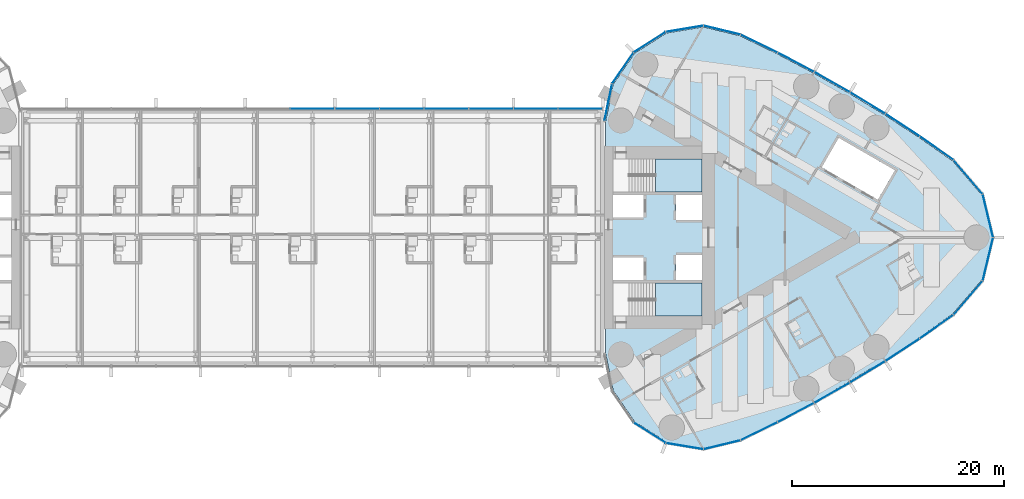
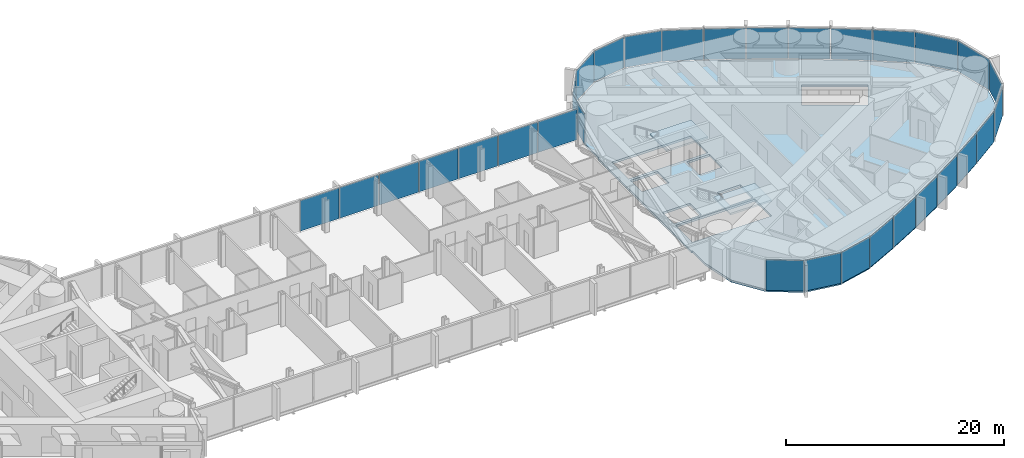
# One storey, part 13 of 22: 31 plates, 3 slabs, 4 elements without a shape of their own.
"""IFC4 building model written with IfcOpenShell, lengths in metres."""

from ifc_helpers import new_model, si_unit, direction, frame, origin, origin_2d, place, context, subcontext, project, spatial, polyline, rectangle, outline, extrude, material, layer, layer_set, type_object, element, aggregate, save


model = new_model("IFC4")

# Units and contexts
model_context = context("Model", 3, precision=1e-05, world=origin(), true_north=direction((0.0, 1.0)))
body_context = subcontext(model_context, "Body", "Model", "MODEL_VIEW")
ifc_project = project(units=[si_unit("LENGTHUNIT", "METRE"), si_unit("AREAUNIT", "SQUARE_METRE"), si_unit("VOLUMEUNIT", "CUBIC_METRE"), si_unit("PLANEANGLEUNIT", "RADIAN"), si_unit("MASSUNIT", "GRAM", prefix="KILO")], contexts=[model_context])

# Site, building, storey
site_placement = place(None, origin())
site = spatial("IfcSite", under=ifc_project, at=site_placement, CompositionType="ELEMENT")
building_placement = place(site_placement, origin())
building = spatial("IfcBuilding", under=site, at=building_placement, Name="Lancet Gate Hotel", CompositionType="ELEMENT")
storey_placement = place(building_placement, frame((0.0, 0.0, 226.10009765625)))
storey = spatial("IfcBuildingStorey", under=building, at=storey_placement, Name="L60", CompositionType="ELEMENT", Elevation=226.10009765625)

# Curtain wall, plates
ifc_material_1 = material(Name="Aluminium curtain wall", Category="aluminium")
curtain_wall_type_1 = type_object("IfcCurtainWallType", Name="Bridge block curtain wall", PredefinedType="USERDEFINED", material=ifc_material_1)
curtain_wall_1_placement = place(storey_placement, origin())
curtain_wall_1 = element("IfcCurtainWall", 1, at=curtain_wall_1_placement, inside=storey, type_object=curtain_wall_type_1, Name="Bridge block L60 curtain wall N", ObjectType="UNITISED CURTAIN WALL", PredefinedType="USERDEFINED")
ifc_material_2 = material(Name="Glass double glazed unit 8-16-6", Category="glass")
ifc_layer_1 = layer(ifc_material_2, 0.030029296875)
ifc_layer_set_1 = layer_set([ifc_layer_1], Name="Block vision panel")
plate_type_1 = type_object("IfcPlateType", Name="Block vision panel", PredefinedType="CURTAIN_PANEL", material=ifc_layer_set_1)
plate_1_placement = place(storey_placement, frame((25.24609375, 12.1201171875, 0.0), z_axis=(0.0, 0.0, 1.0), x_axis=(-1.0, 0.0, 0.0)))
plate_1 = element("IfcPlate", 2, at=plate_1_placement, type_object=plate_type_1, Name="Bridge block L60 curtain wall N panel 1", PredefinedType="CURTAIN_PANEL", context=body_context, shape_type="SweptSolid", body=[
    extrude(rectangle(XDim=4.142578125, YDim=0.030029296875, at=origin_2d()), origin(), (0.0, 0.0, 1.0), 3.449951171875),
])
plate_2_placement = place(storey_placement, frame((21.03857421875, 12.1201171875, 0.0), z_axis=(0.0, 0.0, 1.0), x_axis=(-1.0, 0.0, 0.0)))
plate_2 = element("IfcPlate", 3, at=plate_2_placement, type_object=plate_type_1, Name="Bridge block L60 curtain wall N panel 2", PredefinedType="CURTAIN_PANEL", context=body_context, shape_type="SweptSolid", body=[
    extrude(rectangle(XDim=4.142578125, YDim=0.030029296875, at=origin_2d()), origin(), (0.0, 0.0, 1.0), 3.449951171875),
])
plate_3_placement = place(storey_placement, frame((16.830810546875, 12.1201171875, 0.0), z_axis=(0.0, 0.0, 1.0), x_axis=(-1.0, 0.0, 0.0)))
plate_3 = element("IfcPlate", 4, at=plate_3_placement, type_object=plate_type_1, Name="Bridge block L60 curtain wall N panel 3", PredefinedType="CURTAIN_PANEL", context=body_context, shape_type="SweptSolid", body=[
    extrude(rectangle(XDim=4.142578125, YDim=0.030029296875, at=origin_2d()), origin(), (0.0, 0.0, 1.0), 3.449951171875),
])
plate_4_placement = place(storey_placement, frame((12.623046875, 12.1201171875, 0.0), z_axis=(0.0, 0.0, 1.0), x_axis=(-1.0, 0.0, 0.0)))
plate_4 = element("IfcPlate", 5, at=plate_4_placement, type_object=plate_type_1, Name="Bridge block L60 curtain wall N panel 4", PredefinedType="CURTAIN_PANEL", context=body_context, shape_type="SweptSolid", body=[
    extrude(rectangle(XDim=4.142578125, YDim=0.030029296875, at=origin_2d()), origin(), (0.0, 0.0, 1.0), 3.449951171875),
])
plate_5_placement = place(storey_placement, frame((8.415283203125, 12.1201171875, 0.0), z_axis=(0.0, 0.0, 1.0), x_axis=(-1.0, 0.0, 0.0)))
plate_5 = element("IfcPlate", 6, at=plate_5_placement, type_object=plate_type_1, Name="Bridge block L60 curtain wall N panel 5", PredefinedType="CURTAIN_PANEL", context=body_context, shape_type="SweptSolid", body=[
    extrude(rectangle(XDim=4.142578125, YDim=0.030029296875, at=origin_2d()), origin(), (0.0, 0.0, 1.0), 3.449951171875),
])
plate_6_placement = place(storey_placement, frame((4.207763671875, 12.1201171875, 0.0), z_axis=(0.0, 0.0, 1.0), x_axis=(-1.0, 0.0, 0.0)))
plate_6 = element("IfcPlate", 7, at=plate_6_placement, type_object=plate_type_1, Name="Bridge block L60 curtain wall N panel 6", PredefinedType="CURTAIN_PANEL", context=body_context, shape_type="SweptSolid", body=[
    extrude(rectangle(XDim=4.142578125, YDim=0.030029296875, at=origin_2d()), origin(), (0.0, 0.0, 1.0), 3.449951171875),
])
plate_7_placement = place(storey_placement, frame((0.0, 12.1201171875, 0.0), z_axis=(0.0, 0.0, 1.0), x_axis=(-1.0, 0.0, 0.0)))
plate_7 = element("IfcPlate", 8, at=plate_7_placement, type_object=plate_type_1, Name="Bridge block L60 curtain wall N panel 7", PredefinedType="CURTAIN_PANEL", context=body_context, shape_type="SweptSolid", body=[
    extrude(rectangle(XDim=4.142578125, YDim=0.030029296875, at=origin_2d()), origin(), (0.0, 0.0, 1.0), 3.449951171875),
])
aggregate(curtain_wall_1, [plate_1, plate_2, plate_3, plate_4, plate_5, plate_6, plate_7])

# Slab
ifc_material_3 = material(Name="Concrete C50/60", Category="concrete")
ifc_layer_2 = layer(ifc_material_3, 0.25)
ifc_layer_set_2 = layer_set([ifc_layer_2], Name="Floor slab 250")
slab_type_1 = type_object("IfcSlabType", Name="Floor slab 250", PredefinedType="FLOOR", material=ifc_layer_set_2)
slab_1_placement = place(storey_placement, frame((0.0, 0.0, -0.25)))
element("IfcSlab", 9, at=slab_1_placement, inside=storey, type_object=slab_type_1, Name="T2 L60 floor slab", PredefinedType="FLOOR", context=body_context, shape_type="SweptSolid", body=[
    extrude(outline(polyline([(27.5, -8.60009765625), (27.6201171875, -8.60009765625), (27.6201171875, -10.93603515625), (28.329345703125, -14.419677734375), (30.33740234375, -17.338134765625), (33.326904296875, -19.2392578125), (36.82177734375, -19.81982421875), (40.2763671875, -18.98486328125), (43.753662109375, -17.2890625), (47.18603515625, -15.47998046875), (50.5595703125, -13.56396484375), (53.87158203125, -11.54296875), (57.118408203125, -9.4189453125), (60.2861328125, -7.20166015625), (62.99658203125, -4.03759765625), (63.968017578125, 0.0), (62.99658203125, 4.03759765625), (60.2861328125, 7.20166015625), (57.118408203125, 9.4189453125), (53.87158203125, 11.54296875), (50.5595703125, 13.56396484375), (47.18603515625, 15.47998046875), (43.753662109375, 17.2890625), (40.2763671875, 18.98486328125), (36.82177734375, 19.81982421875), (33.326904296875, 19.2392578125), (30.33740234375, 17.338134765625), (28.329345703125, 14.419677734375), (27.6201171875, 10.93603515625), (27.6201171875, 8.60009765625), (27.5, 8.60009765625), (27.5, 8.199951171875), (27.5, -8.199951171875), (27.5, -8.60009765625)]), holes=[polyline([(36.699951171875, -7.39990234375), (36.699951171875, -4.300048828125), (28.300048828125, -4.300048828125), (28.300048828125, -7.39990234375), (36.699951171875, -7.39990234375)]), polyline([(28.300048828125, -4.0), (31.199951171875, -4.0), (31.199951171875, -1.89990234375), (28.300048828125, -1.89990234375), (28.300048828125, -4.0)]), polyline([(34.25, -4.0), (36.699951171875, -4.0), (36.699951171875, -1.64990234375), (34.25, -1.64990234375), (34.25, -4.0)]), polyline([(36.699951171875, 1.64990234375), (36.699951171875, 4.0), (34.25, 4.0), (34.25, 1.64990234375), (36.699951171875, 1.64990234375)]), polyline([(28.300048828125, 1.89990234375), (31.199951171875, 1.89990234375), (31.199951171875, 4.0), (28.300048828125, 4.0), (28.300048828125, 1.89990234375)]), polyline([(28.300048828125, 4.300048828125), (36.699951171875, 4.300048828125), (36.699951171875, 7.39990234375), (28.300048828125, 7.39990234375), (28.300048828125, 4.300048828125)]), polyline([(53.242919921875, 3.555908203125), (54.843017578125, 6.326904296875), (49.56103515625, 9.376953125), (47.9609375, 6.60595703125), (53.242919921875, 3.555908203125)])]), origin(), (0.0, 0.0, 1.0), 0.25),
])

# Stair, slab
ifc_material_4 = material(Name="Exit stair 20 risers 1500")
stair_type = type_object("IfcStairType", Name="Exit stair 20 risers 1500", PredefinedType="HALF_TURN_STAIR", material=ifc_material_4)
stair_1_placement = place(storey_placement, origin())
stair_1 = element("IfcStair", 10, at=stair_1_placement, inside=storey, type_object=stair_type, Name="T2 stair 1 L60", PredefinedType="HALF_TURN_STAIR")
ifc_material_5 = material(Name="Concrete C40/50", Category="concrete")
ifc_layer_3 = layer(ifc_material_5, 0.199951171875)
ifc_layer_set_3 = layer_set([ifc_layer_3], Name="Stair landing 200")
slab_type_2 = type_object("IfcSlabType", Name="Stair landing 200", PredefinedType="LANDING", material=ifc_layer_set_3)
slab_2_placement = place(storey_placement, frame((0.0, 0.0, 1.599853515625)))
slab_2 = element("IfcSlab", 11, at=slab_2_placement, type_object=slab_type_2, Name="ST3 landing 2", PredefinedType="LANDING", context=body_context, shape_type="SweptSolid", body=[
    extrude(outline(polyline([(32.320068359375, -7.39990234375), (36.699951171875, -7.39990234375), (36.699951171875, -4.300048828125), (32.320068359375, -4.300048828125), (32.320068359375, -7.39990234375)])), origin(), (0.0, 0.0, 1.0), 0.199951171875),
])
aggregate(stair_1, [slab_2])

stair_2_placement = place(storey_placement, origin())
stair_2 = element("IfcStair", 12, at=stair_2_placement, inside=storey, type_object=stair_type, Name="T2 stair 2 L60", PredefinedType="HALF_TURN_STAIR")
slab_3_placement = place(storey_placement, frame((0.0, 0.0, 1.599853515625)))
slab_3 = element("IfcSlab", 13, at=slab_3_placement, type_object=slab_type_2, Name="ST4 landing 2", PredefinedType="LANDING", context=body_context, shape_type="SweptSolid", body=[
    extrude(outline(polyline([(32.320068359375, 4.300048828125), (36.699951171875, 4.300048828125), (36.699951171875, 7.39990234375), (32.320068359375, 7.39990234375), (32.320068359375, 4.300048828125)])), origin(), (0.0, 0.0, 1.0), 0.199951171875),
])
aggregate(stair_2, [slab_3])

# Curtain wall, plates
ifc_material_6 = material(Name="Aluminium curtain wall", Category="aluminium")
curtain_wall_type_2 = type_object("IfcCurtainWallType", Name="Tower unitised curtain wall", PredefinedType="USERDEFINED", material=ifc_material_6)
curtain_wall_2_placement = place(storey_placement, origin())
curtain_wall_2 = element("IfcCurtainWall", 14, at=curtain_wall_2_placement, inside=storey, type_object=curtain_wall_type_2, Name="T2 L60 curtain wall 1", ObjectType="UNITISED CURTAIN WALL", PredefinedType="USERDEFINED")
ifc_material_7 = material(Name="Glass double glazed unit 8-16-6", Category="glass")
ifc_layer_4 = layer(ifc_material_7, 0.030029296875)
ifc_layer_set_4 = layer_set([ifc_layer_4], Name="Vision panel double glazed")
plate_type_2 = type_object("IfcPlateType", Name="Vision panel double glazed", PredefinedType="CURTAIN_PANEL", material=ifc_layer_set_4)
plate_8_placement = place(storey_placement, frame((31.767822265625, -18.389892578125, 0.0), z_axis=(0.0, 0.0, 1.0), x_axis=(0.843845020422, -0.536586974785, 0.0)))
plate_8 = element("IfcPlate", 15, at=plate_8_placement, type_object=plate_type_2, Name="T2 L60 curtain wall 1 panel 3", PredefinedType="CURTAIN_PANEL", context=body_context, shape_type="SweptSolid", body=[
    extrude(rectangle(XDim=3.526611328125, YDim=0.030029296875, at=origin_2d()), origin(), (0.0, 0.0, 1.0), 3.449951171875),
])
plate_9_placement = place(storey_placement, frame((35.0546875, -19.64794921875, 0.0), z_axis=(0.0, 0.0, 1.0), x_axis=(0.986480101775, -0.163881081283, 0.0)))
plate_9 = element("IfcPlate", 16, at=plate_9_placement, type_object=plate_type_2, Name="T2 L60 curtain wall 1 panel 4", PredefinedType="CURTAIN_PANEL", context=body_context, shape_type="SweptSolid", body=[
    extrude(rectangle(XDim=3.526611328125, YDim=0.030029296875, at=origin_2d()), origin(), (0.0, 0.0, 1.0), 3.449951171875),
])
plate_10_placement = place(storey_placement, frame((38.57177734375, -19.520263671875, 0.0), z_axis=(0.0, 0.0, 1.0), x_axis=(0.972013837597, 0.234923603582, 0.0)))
plate_10 = element("IfcPlate", 17, at=plate_10_placement, type_object=plate_type_2, Name="T2 L60 curtain wall 1 panel 5", PredefinedType="CURTAIN_PANEL", context=body_context, shape_type="SweptSolid", body=[
    extrude(rectangle(XDim=3.526611328125, YDim=0.030029296875, at=origin_2d()), origin(), (0.0, 0.0, 1.0), 3.449951171875),
])
plate_11_placement = place(storey_placement, frame((42.062744140625, -18.247314453125, 0.0), z_axis=(0.0, 0.0, 1.0), x_axis=(0.898823462202, 0.438310830114, 0.0)))
plate_11 = element("IfcPlate", 18, at=plate_11_placement, type_object=plate_type_2, Name="T2 L60 curtain wall 1 panel 6", PredefinedType="CURTAIN_PANEL", context=body_context, shape_type="SweptSolid", body=[
    extrude(rectangle(XDim=3.818603515625, YDim=0.030029296875, at=origin_2d()), origin(), (0.0, 0.0, 1.0), 3.449951171875),
])
plate_12_placement = place(storey_placement, frame((45.52587890625, -16.49072265625, 0.0), z_axis=(0.0, 0.0, 1.0), x_axis=(0.884622760861, 0.466307378204, 0.0)))
plate_12 = element("IfcPlate", 19, at=plate_12_placement, type_object=plate_type_2, Name="T2 L60 curtain wall 1 panel 7", PredefinedType="CURTAIN_PANEL", context=body_context, shape_type="SweptSolid", body=[
    extrude(rectangle(XDim=3.818603515625, YDim=0.030029296875, at=origin_2d()), origin(), (0.0, 0.0, 1.0), 3.449951171875),
])
plate_13_placement = place(storey_placement, frame((48.93212890625, -14.626220703125, 0.0), z_axis=(0.0, 0.0, 1.0), x_axis=(0.869550293306, 0.493844395951, 0.0)))
plate_13 = element("IfcPlate", 20, at=plate_13_placement, type_object=plate_type_2, Name="T2 L60 curtain wall 1 panel 8", PredefinedType="CURTAIN_PANEL", context=body_context, shape_type="SweptSolid", body=[
    extrude(rectangle(XDim=3.818603515625, YDim=0.030029296875, at=origin_2d()), origin(), (0.0, 0.0, 1.0), 3.449951171875),
])
plate_14_placement = place(storey_placement, frame((52.278076171875, -12.65576171875, 0.0), z_axis=(0.0, 0.0, 1.0), x_axis=(0.853620912967, 0.520894746513, 0.0)))
plate_14 = element("IfcPlate", 21, at=plate_14_placement, type_object=plate_type_2, Name="T2 L60 curtain wall 1 panel 9", PredefinedType="CURTAIN_PANEL", context=body_context, shape_type="SweptSolid", body=[
    extrude(rectangle(XDim=3.818603515625, YDim=0.030029296875, at=origin_2d()), origin(), (0.0, 0.0, 1.0), 3.449951171875),
])
plate_15_placement = place(storey_placement, frame((55.560791015625, -10.581298828125, 0.0), z_axis=(0.0, 0.0, 1.0), x_axis=(0.83685031771, 0.547431772688, 0.0)))
plate_15 = element("IfcPlate", 22, at=plate_15_placement, type_object=plate_type_2, Name="T2 L60 curtain wall 1 panel 10", PredefinedType="CURTAIN_PANEL", context=body_context, shape_type="SweptSolid", body=[
    extrude(rectangle(XDim=3.818603515625, YDim=0.030029296875, at=origin_2d()), origin(), (0.0, 0.0, 1.0), 3.449951171875),
])
plate_16_placement = place(storey_placement, frame((58.776611328125, -8.40478515625, 0.0), z_axis=(0.0, 0.0, 1.0), x_axis=(0.819255034386, 0.573429323137, 0.0)))
plate_16 = element("IfcPlate", 23, at=plate_16_placement, type_object=plate_type_2, Name="T2 L60 curtain wall 1 panel 11", PredefinedType="CURTAIN_PANEL", context=body_context, shape_type="SweptSolid", body=[
    extrude(rectangle(XDim=3.818603515625, YDim=0.030029296875, at=origin_2d()), origin(), (0.0, 0.0, 1.0), 3.449951171875),
])
plate_17_placement = place(storey_placement, frame((61.737060546875, -5.692626953125, 0.0), z_axis=(0.0, 0.0, 1.0), x_axis=(0.650551562434, 0.759462088991, 0.0)))
plate_17 = element("IfcPlate", 24, at=plate_17_placement, type_object=plate_type_2, Name="T2 L60 curtain wall 1 panel 12", PredefinedType="CURTAIN_PANEL", context=body_context, shape_type="SweptSolid", body=[
    extrude(rectangle(XDim=4.1455078125, YDim=0.030029296875, at=origin_2d()), origin(), (0.0, 0.0, 1.0), 3.449951171875),
])
plate_18_placement = place(storey_placement, frame((63.598876953125, -2.046875, 0.0), z_axis=(0.0, 0.0, 1.0), x_axis=(0.233916001796, 0.972256809749, 0.0)))
plate_18 = element("IfcPlate", 25, at=plate_18_placement, type_object=plate_type_2, Name="T2 L60 curtain wall 1 panel 13", PredefinedType="CURTAIN_PANEL", context=body_context, shape_type="SweptSolid", body=[
    extrude(rectangle(XDim=4.1455078125, YDim=0.030029296875, at=origin_2d()), origin(), (0.0, 0.0, 1.0), 3.449951171875),
])
plate_19_placement = place(storey_placement, frame((63.598876953125, 2.046875, 0.0), z_axis=(0.0, 0.0, 1.0), x_axis=(-0.233916001796, 0.972256809749, 0.0)))
plate_19 = element("IfcPlate", 26, at=plate_19_placement, type_object=plate_type_2, Name="T2 L60 curtain wall 1 panel 14", PredefinedType="CURTAIN_PANEL", context=body_context, shape_type="SweptSolid", body=[
    extrude(rectangle(XDim=4.1455078125, YDim=0.030029296875, at=origin_2d()), origin(), (0.0, 0.0, 1.0), 3.449951171875),
])
plate_20_placement = place(storey_placement, frame((61.737060546875, 5.692626953125, 0.0), z_axis=(0.0, 0.0, 1.0), x_axis=(-0.650551562434, 0.759462088991, 0.0)))
plate_20 = element("IfcPlate", 27, at=plate_20_placement, type_object=plate_type_2, Name="T2 L60 curtain wall 1 panel 15", PredefinedType="CURTAIN_PANEL", context=body_context, shape_type="SweptSolid", body=[
    extrude(rectangle(XDim=4.1455078125, YDim=0.030029296875, at=origin_2d()), origin(), (0.0, 0.0, 1.0), 3.449951171875),
])
plate_21_placement = place(storey_placement, frame((58.776611328125, 8.40478515625, 0.0), z_axis=(0.0, 0.0, 1.0), x_axis=(-0.819255034386, 0.573429323137, 0.0)))
plate_21 = element("IfcPlate", 28, at=plate_21_placement, type_object=plate_type_2, Name="T2 L60 curtain wall 1 panel 16", PredefinedType="CURTAIN_PANEL", context=body_context, shape_type="SweptSolid", body=[
    extrude(rectangle(XDim=3.818603515625, YDim=0.030029296875, at=origin_2d()), origin(), (0.0, 0.0, 1.0), 3.449951171875),
])
plate_22_placement = place(storey_placement, frame((55.560791015625, 10.581298828125, 0.0), z_axis=(0.0, 0.0, 1.0), x_axis=(-0.83685031771, 0.547431772688, 0.0)))
plate_22 = element("IfcPlate", 29, at=plate_22_placement, type_object=plate_type_2, Name="T2 L60 curtain wall 1 panel 17", PredefinedType="CURTAIN_PANEL", context=body_context, shape_type="SweptSolid", body=[
    extrude(rectangle(XDim=3.818603515625, YDim=0.030029296875, at=origin_2d()), origin(), (0.0, 0.0, 1.0), 3.449951171875),
])
plate_23_placement = place(storey_placement, frame((52.278076171875, 12.65576171875, 0.0), z_axis=(0.0, 0.0, 1.0), x_axis=(-0.853620912967, 0.520894746513, 0.0)))
plate_23 = element("IfcPlate", 30, at=plate_23_placement, type_object=plate_type_2, Name="T2 L60 curtain wall 1 panel 18", PredefinedType="CURTAIN_PANEL", context=body_context, shape_type="SweptSolid", body=[
    extrude(rectangle(XDim=3.818603515625, YDim=0.030029296875, at=origin_2d()), origin(), (0.0, 0.0, 1.0), 3.449951171875),
])
plate_24_placement = place(storey_placement, frame((48.93212890625, 14.626220703125, 0.0), z_axis=(0.0, 0.0, 1.0), x_axis=(-0.869550293306, 0.493844395951, 0.0)))
plate_24 = element("IfcPlate", 31, at=plate_24_placement, type_object=plate_type_2, Name="T2 L60 curtain wall 1 panel 19", PredefinedType="CURTAIN_PANEL", context=body_context, shape_type="SweptSolid", body=[
    extrude(rectangle(XDim=3.818603515625, YDim=0.030029296875, at=origin_2d()), origin(), (0.0, 0.0, 1.0), 3.449951171875),
])
plate_25_placement = place(storey_placement, frame((45.52587890625, 16.49072265625, 0.0), z_axis=(0.0, 0.0, 1.0), x_axis=(-0.884622760861, 0.466307378204, 0.0)))
plate_25 = element("IfcPlate", 32, at=plate_25_placement, type_object=plate_type_2, Name="T2 L60 curtain wall 1 panel 20", PredefinedType="CURTAIN_PANEL", context=body_context, shape_type="SweptSolid", body=[
    extrude(rectangle(XDim=3.818603515625, YDim=0.030029296875, at=origin_2d()), origin(), (0.0, 0.0, 1.0), 3.449951171875),
])
plate_26_placement = place(storey_placement, frame((42.062744140625, 18.247314453125, 0.0), z_axis=(0.0, 0.0, 1.0), x_axis=(-0.898823462202, 0.438310830114, 0.0)))
plate_26 = element("IfcPlate", 33, at=plate_26_placement, type_object=plate_type_2, Name="T2 L60 curtain wall 1 panel 21", PredefinedType="CURTAIN_PANEL", context=body_context, shape_type="SweptSolid", body=[
    extrude(rectangle(XDim=3.818603515625, YDim=0.030029296875, at=origin_2d()), origin(), (0.0, 0.0, 1.0), 3.449951171875),
])
plate_27_placement = place(storey_placement, frame((38.57177734375, 19.520263671875, 0.0), z_axis=(0.0, 0.0, 1.0), x_axis=(-0.972013837597, 0.234923603582, 0.0)))
plate_27 = element("IfcPlate", 34, at=plate_27_placement, type_object=plate_type_2, Name="T2 L60 curtain wall 1 panel 22", PredefinedType="CURTAIN_PANEL", context=body_context, shape_type="SweptSolid", body=[
    extrude(rectangle(XDim=3.526611328125, YDim=0.030029296875, at=origin_2d()), origin(), (0.0, 0.0, 1.0), 3.449951171875),
])
plate_28_placement = place(storey_placement, frame((35.0546875, 19.64794921875, 0.0), z_axis=(0.0, 0.0, 1.0), x_axis=(-0.986480101775, -0.163881081283, 0.0)))
plate_28 = element("IfcPlate", 35, at=plate_28_placement, type_object=plate_type_2, Name="T2 L60 curtain wall 1 panel 23", PredefinedType="CURTAIN_PANEL", context=body_context, shape_type="SweptSolid", body=[
    extrude(rectangle(XDim=3.526611328125, YDim=0.030029296875, at=origin_2d()), origin(), (0.0, 0.0, 1.0), 3.449951171875),
])
plate_29_placement = place(storey_placement, frame((31.767822265625, 18.389892578125, 0.0), z_axis=(0.0, 0.0, 1.0), x_axis=(-0.843845020422, -0.536586974785, 0.0)))
plate_29 = element("IfcPlate", 36, at=plate_29_placement, type_object=plate_type_2, Name="T2 L60 curtain wall 1 panel 24", PredefinedType="CURTAIN_PANEL", context=body_context, shape_type="SweptSolid", body=[
    extrude(rectangle(XDim=3.526611328125, YDim=0.030029296875, at=origin_2d()), origin(), (0.0, 0.0, 1.0), 3.449951171875),
])
plate_30_placement = place(storey_placement, frame((29.234619140625, 15.947021484375, 0.0), z_axis=(0.0, 0.0, 1.0), x_axis=(-0.566823864908, -0.823839005007, 0.0)))
plate_30 = element("IfcPlate", 37, at=plate_30_placement, type_object=plate_type_2, Name="T2 L60 curtain wall 1 panel 25", PredefinedType="CURTAIN_PANEL", context=body_context, shape_type="SweptSolid", body=[
    extrude(rectangle(XDim=3.526611328125, YDim=0.030029296875, at=origin_2d()), origin(), (0.0, 0.0, 1.0), 3.449951171875),
])
plate_31_placement = place(storey_placement, frame((27.8583984375, 12.707763671875, 0.0), z_axis=(0.0, 0.0, 1.0), x_axis=(-0.199533486841, -0.979891008036, 0.0)))
plate_31 = element("IfcPlate", 38, at=plate_31_placement, type_object=plate_type_2, Name="T2 L60 curtain wall 1 panel 26", PredefinedType="CURTAIN_PANEL", context=body_context, shape_type="SweptSolid", body=[
    extrude(rectangle(XDim=3.526611328125, YDim=0.030029296875, at=origin_2d()), origin(), (0.0, 0.0, 1.0), 3.449951171875),
])
aggregate(curtain_wall_2, [plate_8, plate_9, plate_10, plate_11, plate_12, plate_13, plate_14, plate_15, plate_16, plate_17, plate_18, plate_19, plate_20, plate_21, plate_22, plate_23, plate_24, plate_25, plate_26, plate_27, plate_28, plate_29, plate_30, plate_31])

save(model, "model.ifc")
